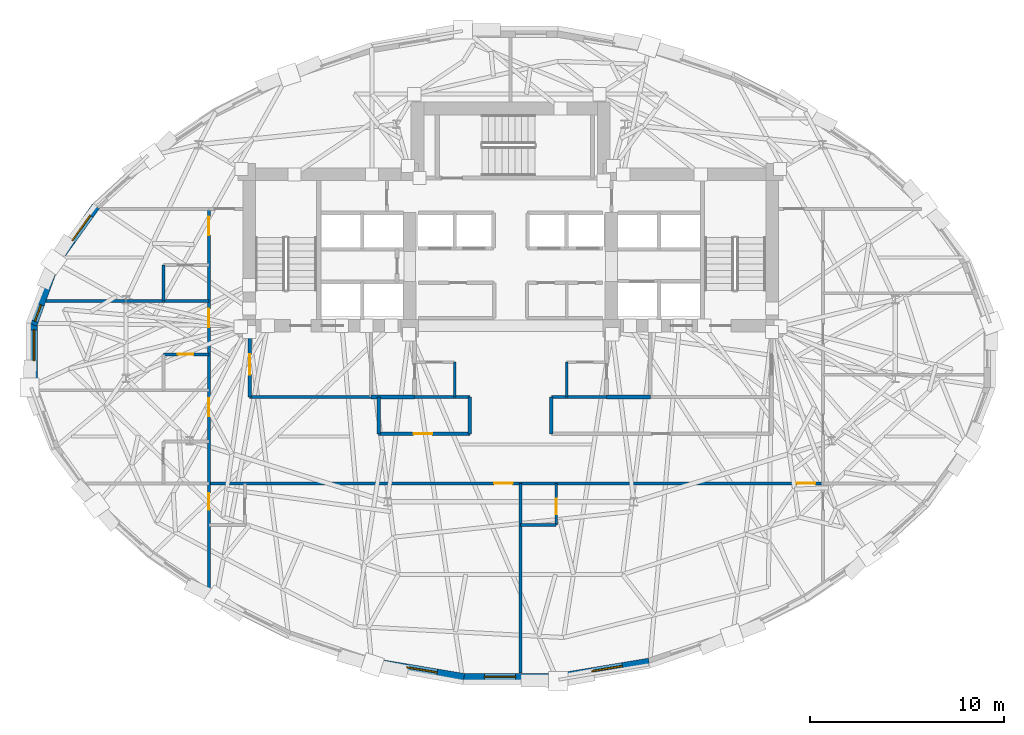
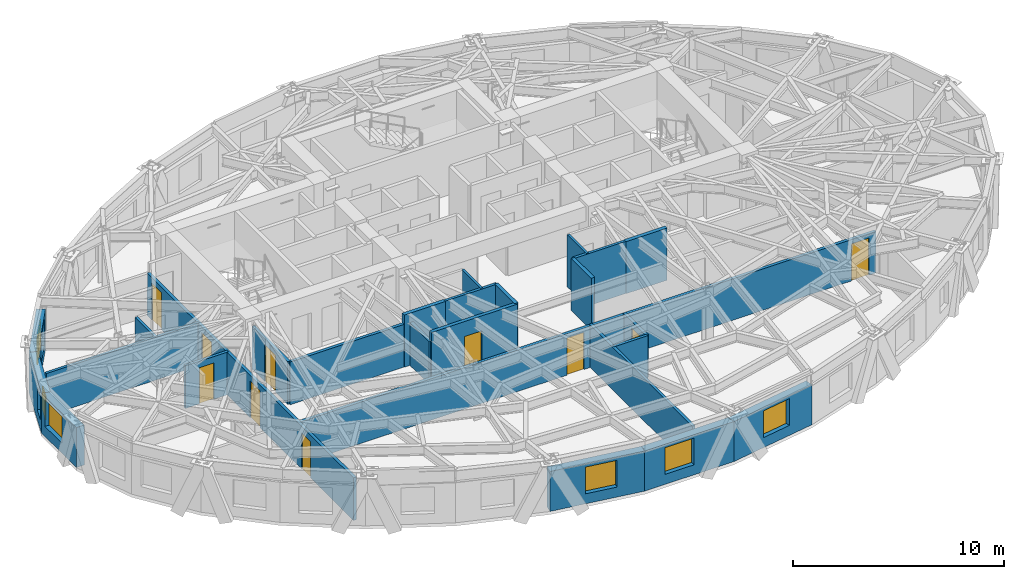
# One storey, part 6 of 14: 26 walls, 10 doors, 6 windows, 16 openings.
"""IFC4 building model written with IfcOpenShell, lengths in metres."""

from ifc_helpers import new_model, si_unit, direction, frame, frame_2d, origin, place, context, subcontext, project, spatial, rectangle, extrude, material, layer, layer_set, type_object, element, fill, save


model = new_model("IFC4")

# Units and contexts
model_context = context("Model", 3, precision=1e-05, world=origin(), true_north=direction((0.0, 1.0)))
body_context = subcontext(model_context, "Body", "Model", "MODEL_VIEW")
ifc_project = project(units=[si_unit("LENGTHUNIT", "METRE"), si_unit("AREAUNIT", "SQUARE_METRE"), si_unit("VOLUMEUNIT", "CUBIC_METRE"), si_unit("PLANEANGLEUNIT", "RADIAN"), si_unit("MASSUNIT", "GRAM", prefix="KILO")], contexts=[model_context])

# Site, building, storey
site_placement = place(None, origin())
site = spatial("IfcSite", under=ifc_project, at=site_placement, CompositionType="ELEMENT")
building_placement = place(site_placement, origin())
building = spatial("IfcBuilding", under=site, at=building_placement, Name="Keldmark Tower", CompositionType="ELEMENT")
storey_placement = place(building_placement, frame((0.0, 0.0, 172.60009765625)))
storey = spatial("IfcBuildingStorey", under=building, at=storey_placement, Name="L47", CompositionType="ELEMENT", Elevation=172.60009765625)

# Wall, opening, door
ifc_material_1 = material(Name="Heavy Acoustic Plumbing Chase Gypsum Assembly", Category="gypsum")
ifc_layer_1 = layer(ifc_material_1, 0.18994140625)
ifc_layer_set_1 = layer_set([ifc_layer_1], Name="Heavy Acoustic Plumbing Chase Gypsum Assembly")
wall_type_1 = type_object("IfcWallType", Name="Heavy Wet Wall 190 mm", PredefinedType="PLUMBINGWALL", material=ifc_layer_set_1)
wall_1_placement = place(storey_placement, frame((-6.800048828125, -4.050048828125, 0.0), z_axis=(0.0, 0.0, 1.0), x_axis=(1.0, 0.0, 0.0)))
wall_1 = element("IfcWall", 1, at=wall_1_placement, inside=storey, type_object=wall_type_1, Name="L47 Heavy Wet Wall 190 mm SPK-W-S", PredefinedType="PLUMBINGWALL", context=body_context, shape_type="SweptSolid", body=[
    extrude(rectangle(XDim=4.699951171875, YDim=0.18994140625, at=frame_2d((2.35009765625, 0.0))), origin(), (0.0, 0.0, 1.0), 3.02001953125),
])
opening_1_placement = place(wall_1_placement, frame((1.800048828125, 0.0, 0.0)))
opening_1 = element("IfcOpeningElement", 2, at=opening_1_placement, cuts=wall_1, Name="Opening D-AWC95", PredefinedType="OPENING", context=body_context, shape_type="SweptSolid", body=[
    extrude(rectangle(XDim=0.949951171875, YDim=2.14990234375, at=frame_2d((0.47509765625, 1.074951171875))), frame((0.0, 0.10498046875, 0.0), z_axis=(0.0, -1.0, 0.0), x_axis=(1.0, 0.0, 0.0)), (0.0, 0.0, 1.0), 0.2099609375),
])
ifc_material_2 = material(Name="Painted Solid-Core Architectural Wood", Category="wood")
door_type_1 = type_object("IfcDoorType", Name="Accessible WC Door 950x2150", OperationType="NOTDEFINED", PredefinedType="DOOR", material=ifc_material_2)
door_1_placement = place(opening_1_placement, origin())
door_1 = element("IfcDoor", 3, at=door_1_placement, inside=storey, type_object=door_type_1, Name="L47 Accessible WC Door 950x2150 D-SPKW1-L47", OperationType="SINGLE_SWING_LEFT", OverallHeight=2.14990234375, OverallWidth=0.949951171875, PredefinedType="DOOR", context=body_context, shape_type="SweptSolid", body=[
    extrude(rectangle(XDim=0.949951171875, YDim=2.14990234375, at=frame_2d((0.47509765625, 1.074951171875))), frame((0.0, 0.02490234375, 0.0), z_axis=(0.0, -1.0, 0.0), x_axis=(1.0, 0.0, 0.0)), (0.0, 0.0, 1.0), 0.050048828125),
])
fill(opening_1, door_1)

# Walls
wall_2_placement = place(storey_placement, frame((-6.800048828125, -4.050048828125, 0.0), z_axis=(0.0, 0.0, 1.0), x_axis=(0.0, 1.0, 0.0)))
element("IfcWall", 4, at=wall_2_placement, inside=storey, type_object=wall_type_1, Name="L47 Heavy Wet Wall 190 mm SPK-W-W", PredefinedType="PLUMBINGWALL", context=body_context, shape_type="SweptSolid", body=[
    extrude(rectangle(XDim=1.900146484375, YDim=0.18994140625, at=frame_2d((0.9501953125, 0.0))), origin(), (0.0, 0.0, 1.0), 2.472900390625),
])
for number, where, z_axis, x_axis, name in (
    (5, (-2.10009765625, -4.050048828125, 0.0), (0.0, 0.0, 1.0), (0.0, 1.0, 0.0), "L47 Heavy Wet Wall 190 mm SPK-W-E"),
    (6, (2.10009765625, -4.050048828125, 0.0), (0.0, 0.0, 1.0), (0.0, 1.0, 0.0), "L47 Heavy Wet Wall 190 mm SPK-E-W"),
):
    element("IfcWall", number, at=place(storey_placement, frame(where, z_axis=z_axis, x_axis=x_axis)), inside=storey, type_object=wall_type_1, Name=name, PredefinedType="PLUMBINGWALL", context=body_context, shape_type="SweptSolid", body=[
        extrude(rectangle(XDim=1.900146484375, YDim=0.18994140625, at=frame_2d((0.9501953125, 0.0))), origin(), (0.0, 0.0, 1.0), 3.02001953125),
    ])
ifc_material_3 = material(Name="Acoustic Gypsum Board Interior Partition", Category="gypsum")
ifc_layer_2 = layer(ifc_material_3, 0.1298828125)
ifc_layer_set_2 = layer_set([ifc_layer_2], Name="Acoustic Gypsum Board Interior Partition")
wall_type_2 = type_object("IfcWallType", Name="Interior Partition 130 mm", PredefinedType="PARTITIONING", material=ifc_layer_set_2)
for number, where, z_axis, x_axis, name in (
    (7, (-2.889892578125, -2.14990234375, 0.0), (0.0, 0.0, 1.0), (0.0, 1.0, 0.0), "L47 Interior Partition 130 mm CSC-W-E"),
    (8, (2.889892578125, -2.14990234375, 0.0), (0.0, 0.0, 1.0), (0.0, 1.0, 0.0), "L47 Interior Partition 130 mm CSC-E-W"),
):
    element("IfcWall", number, at=place(storey_placement, frame(where, z_axis=z_axis, x_axis=x_axis)), inside=storey, type_object=wall_type_2, Name=name, PredefinedType="PARTITIONING", context=body_context, shape_type="SweptSolid", body=[
        extrude(rectangle(XDim=1.7998046875, YDim=0.1298828125, at=frame_2d((0.89990234375, 0.0))), origin(), (0.0, 0.0, 1.0), 3.02001953125),
    ])
ifc_material_4 = material(Name="Type X Fire-Rated Gypsum Partition Assembly", Category="gypsum")
ifc_layer_3 = layer(ifc_material_4, 0.1650390625)
ifc_layer_set_3 = layer_set([ifc_layer_3], Name="Type X Fire-Rated Gypsum Partition Assembly")
wall_type_3 = type_object("IfcWallType", Name="Rated Partition 165 mm", PredefinedType="PARTITIONING", material=ifc_layer_set_3)
wall_3_placement = place(storey_placement, frame((-13.449951171875, -2.14990234375, 0.0), z_axis=(0.0, 0.0, 1.0), x_axis=(1.0, 0.0, 0.0)))
element("IfcWall", 9, at=wall_3_placement, inside=storey, type_object=wall_type_3, Name="L47 Rated Partition 165 mm FSAE-W-S", PredefinedType="PARTITIONING", context=body_context, shape_type="SweptSolid", body=[
    extrude(rectangle(XDim=6.25, YDim=0.1650390625, at=frame_2d((3.125, 0.0))), origin(), (0.0, 0.0, 1.0), 2.472900390625),
])

# Wall, opening, door
wall_4_placement = place(storey_placement, frame((-13.449951171875, -2.14990234375, 0.0), z_axis=(0.0, 0.0, 1.0), x_axis=(0.0, 1.0, 0.0)))
wall_4 = element("IfcWall", 10, at=wall_4_placement, inside=storey, type_object=wall_type_3, Name="L47 Rated Partition 165 mm FSAE-W-W", PredefinedType="PARTITIONING", context=body_context, shape_type="SweptSolid", body=[
    extrude(rectangle(XDim=3.39990234375, YDim=0.1650390625, at=frame_2d((1.699951171875, 0.0))), origin(), (0.0, 0.0, 1.0), 2.472900390625),
])
opening_2_placement = place(wall_4_placement, frame((1.14990234375, 0.0, 0.0)))
opening_2 = element("IfcOpeningElement", 11, at=opening_2_placement, cuts=wall_4, Name="Opening D-FL105", PredefinedType="OPENING", context=body_context, shape_type="SweptSolid", body=[
    extrude(rectangle(XDim=1.050048828125, YDim=2.14990234375, at=frame_2d((0.52490234375, 1.074951171875))), frame((0.0, 0.092529296875, 0.0), z_axis=(0.0, -1.0, 0.0), x_axis=(1.0, 0.0, 0.0)), (0.0, 0.0, 1.0), 0.18505859375),
])
ifc_material_5 = material(Name="Fire-Rated Mineral-Core Door and Vision Lite", Category="metal")
door_type_2 = type_object("IfcDoorType", Name="Fire Lobby Door 1050x2150", OperationType="NOTDEFINED", PredefinedType="DOOR", material=ifc_material_5)
door_2_placement = place(opening_2_placement, origin())
door_2 = element("IfcDoor", 12, at=door_2_placement, inside=storey, type_object=door_type_2, Name="L47 Fire Lobby Door 1050x2150 D-FSAEW-OUT-L47", OperationType="SINGLE_SWING_LEFT", OverallHeight=2.14990234375, OverallWidth=1.050048828125, PredefinedType="DOOR", context=body_context, shape_type="SweptSolid", body=[
    extrude(rectangle(XDim=1.050048828125, YDim=2.14990234375, at=frame_2d((0.52490234375, 1.074951171875))), frame((0.0, 0.02490234375, 0.0), z_axis=(0.0, -1.0, 0.0), x_axis=(1.0, 0.0, 0.0)), (0.0, 0.0, 1.0), 0.050048828125),
])
fill(opening_2, door_2)

# Wall, openings, doors
wall_5_placement = place(storey_placement, frame((-15.550048828125, -6.60009765625, 0.0), z_axis=(0.0, 0.0, 1.0), x_axis=(1.0, 0.0, 0.0)))
wall_5 = element("IfcWall", 13, at=wall_5_placement, inside=storey, type_object=wall_type_3, Name="L47 Rated Partition 165 mm HCOR-S", PredefinedType="PARTITIONING", context=body_context, shape_type="SweptSolid", body=[
    extrude(rectangle(XDim=31.650146484375, YDim=0.1650390625, at=frame_2d((15.8251953125, 0.0))), origin(), (0.0, 0.0, 1.0), 2.39794921875),
])
opening_3_placement = place(wall_5_placement, frame((14.699951171875, 0.0, 0.0)))
opening_3 = element("IfcOpeningElement", 14, at=opening_3_placement, cuts=wall_5, Name="Opening D-HT095", PredefinedType="OPENING", context=body_context, shape_type="SweptSolid", body=[
    extrude(rectangle(XDim=0.949951171875, YDim=2.14990234375, at=frame_2d((0.47509765625, 1.074951171875))), frame((0.0, 0.092529296875, 0.0), z_axis=(0.0, -1.0, 0.0), x_axis=(1.0, 0.0, 0.0)), (0.0, 0.0, 1.0), 0.18505859375),
])
opening_4_placement = place(wall_5_placement, frame((30.300048828125, 0.0, 0.0)))
opening_4 = element("IfcOpeningElement", 15, at=opening_4_placement, cuts=wall_5, Name="Opening D-HT095", PredefinedType="OPENING", context=body_context, shape_type="SweptSolid", body=[
    extrude(rectangle(XDim=0.949951171875, YDim=2.14990234375, at=frame_2d((0.47509765625, 1.074951171875))), frame((0.0, 0.092529296875, 0.0), z_axis=(0.0, -1.0, 0.0), x_axis=(1.0, 0.0, 0.0)), (0.0, 0.0, 1.0), 0.18505859375),
])
ifc_material_6 = material(Name="Solid-Core Acoustic White Oak Fire-Rated Assembly", Category="wood")
door_type_3 = type_object("IfcDoorType", Name="Hotel Entry Door 950x2150", OperationType="NOTDEFINED", PredefinedType="DOOR", material=ifc_material_6)
door_3_placement = place(opening_3_placement, origin())
door_3 = element("IfcDoor", 16, at=door_3_placement, inside=storey, type_object=door_type_3, Name="L47 Hotel Entry Door 950x2150 D-HRS1-L47", OperationType="SINGLE_SWING_RIGHT", OverallHeight=2.14990234375, OverallWidth=0.949951171875, PredefinedType="DOOR", context=body_context, shape_type="SweptSolid", body=[
    extrude(rectangle(XDim=0.949951171875, YDim=2.14990234375, at=frame_2d((0.47509765625, 1.074951171875))), frame((0.0, 0.02490234375, 0.0), z_axis=(0.0, -1.0, 0.0), x_axis=(1.0, 0.0, 0.0)), (0.0, 0.0, 1.0), 0.050048828125),
])
fill(opening_3, door_3)
door_4_placement = place(opening_4_placement, origin())
door_4 = element("IfcDoor", 17, at=door_4_placement, inside=storey, type_object=door_type_3, Name="L47 Hotel Entry Door 950x2150 D-HRS2-L47", OperationType="SINGLE_SWING_LEFT", OverallHeight=2.14990234375, OverallWidth=0.949951171875, PredefinedType="DOOR", context=body_context, shape_type="SweptSolid", body=[
    extrude(rectangle(XDim=0.949951171875, YDim=2.14990234375, at=frame_2d((0.47509765625, 1.074951171875))), frame((0.0, 0.02490234375, 0.0), z_axis=(0.0, -1.0, 0.0), x_axis=(1.0, 0.0, 0.0)), (0.0, 0.0, 1.0), 0.050048828125),
])
fill(opening_4, door_4)

wall_6_placement = place(storey_placement, frame((-15.550048828125, -12.028076171875, 0.0), z_axis=(0.0, 0.0, 1.0), x_axis=(0.0, 1.0, 0.0)))
wall_6 = element("IfcWall", 18, at=wall_6_placement, inside=storey, type_object=wall_type_3, Name="L47 Rated Partition 165 mm HCOR-W", PredefinedType="PARTITIONING", context=body_context, shape_type="SweptSolid", body=[
    extrude(rectangle(XDim=19.578125, YDim=0.1650390625, at=frame_2d((9.7890625, 0.0))), origin(), (0.0, 0.0, 1.0), 2.472900390625),
])
opening_5_placement = place(wall_6_placement, frame((4.07861328125, 0.0, 0.0)))
opening_5 = element("IfcOpeningElement", 19, at=opening_5_placement, cuts=wall_6, Name="Opening D-IN085", PredefinedType="OPENING", context=body_context, shape_type="SweptSolid", body=[
    extrude(rectangle(XDim=0.85009765625, YDim=2.10009765625, at=frame_2d((0.425048828125, 1.050048828125))), frame((0.0, 0.092529296875, 0.0), z_axis=(0.0, -1.0, 0.0), x_axis=(1.0, 0.0, 0.0)), (0.0, 0.0, 1.0), 0.18505859375),
])
opening_6_placement = place(wall_6_placement, frame((8.877685546875, 0.0, 0.0)))
opening_6 = element("IfcOpeningElement", 20, at=opening_6_placement, cuts=wall_6, Name="Opening D-HT095", PredefinedType="OPENING", context=body_context, shape_type="SweptSolid", body=[
    extrude(rectangle(XDim=0.949951171875, YDim=2.14990234375, at=frame_2d((0.47509765625, 1.074951171875))), frame((0.0, 0.092529296875, 0.0), z_axis=(0.0, -1.0, 0.0), x_axis=(1.0, 0.0, 0.0)), (0.0, 0.0, 1.0), 0.18505859375),
])
opening_7_placement = place(wall_6_placement, frame((13.4775390625, 0.0, 0.0)))
opening_7 = element("IfcOpeningElement", 21, at=opening_7_placement, cuts=wall_6, Name="Opening D-HT095", PredefinedType="OPENING", context=body_context, shape_type="SweptSolid", body=[
    extrude(rectangle(XDim=0.949951171875, YDim=2.14990234375, at=frame_2d((0.47509765625, 1.074951171875))), frame((0.0, 0.092529296875, 0.0), z_axis=(0.0, -1.0, 0.0), x_axis=(1.0, 0.0, 0.0)), (0.0, 0.0, 1.0), 0.18505859375),
])
opening_8_placement = place(wall_6_placement, frame((18.2275390625, 0.0, 0.0)))
opening_8 = element("IfcOpeningElement", 22, at=opening_8_placement, cuts=wall_6, Name="Opening D-HT095", PredefinedType="OPENING", context=body_context, shape_type="SweptSolid", body=[
    extrude(rectangle(XDim=0.949951171875, YDim=2.14990234375, at=frame_2d((0.47509765625, 1.074951171875))), frame((0.0, 0.092529296875, 0.0), z_axis=(0.0, -1.0, 0.0), x_axis=(1.0, 0.0, 0.0)), (0.0, 0.0, 1.0), 0.18505859375),
])
door_5_placement = place(opening_6_placement, origin())
door_5 = element("IfcDoor", 23, at=door_5_placement, inside=storey, type_object=door_type_3, Name="L47 Hotel Entry Door 950x2150 D-HR-3-L47", OperationType="SINGLE_SWING_RIGHT", OverallHeight=2.14990234375, OverallWidth=0.949951171875, PredefinedType="DOOR", context=body_context, shape_type="SweptSolid", body=[
    extrude(rectangle(XDim=0.949951171875, YDim=2.14990234375, at=frame_2d((0.47509765625, 1.074951171875))), frame((0.0, 0.02490234375, 0.0), z_axis=(0.0, -1.0, 0.0), x_axis=(1.0, 0.0, 0.0)), (0.0, 0.0, 1.0), 0.050048828125),
])
fill(opening_6, door_5)
door_6_placement = place(opening_7_placement, origin())
door_6 = element("IfcDoor", 24, at=door_6_placement, inside=storey, type_object=door_type_3, Name="L47 Hotel Entry Door 950x2150 D-HR-4-L47", OperationType="SINGLE_SWING_RIGHT", OverallHeight=2.14990234375, OverallWidth=0.949951171875, PredefinedType="DOOR", context=body_context, shape_type="SweptSolid", body=[
    extrude(rectangle(XDim=0.949951171875, YDim=2.14990234375, at=frame_2d((0.47509765625, 1.074951171875))), frame((0.0, 0.02490234375, 0.0), z_axis=(0.0, -1.0, 0.0), x_axis=(1.0, 0.0, 0.0)), (0.0, 0.0, 1.0), 0.050048828125),
])
fill(opening_7, door_6)
door_7_placement = place(opening_8_placement, origin())
door_7 = element("IfcDoor", 25, at=door_7_placement, inside=storey, type_object=door_type_3, Name="L47 Hotel Entry Door 950x2150 D-HR-5-L47", OperationType="SINGLE_SWING_RIGHT", OverallHeight=2.14990234375, OverallWidth=0.949951171875, PredefinedType="DOOR", context=body_context, shape_type="SweptSolid", body=[
    extrude(rectangle(XDim=0.949951171875, YDim=2.14990234375, at=frame_2d((0.47509765625, 1.074951171875))), frame((0.0, 0.02490234375, 0.0), z_axis=(0.0, -1.0, 0.0), x_axis=(1.0, 0.0, 0.0)), (0.0, 0.0, 1.0), 0.050048828125),
])
fill(opening_8, door_7)
ifc_material_7 = material(Name="Painted Architectural Wood", Category="wood")
door_type_4 = type_object("IfcDoorType", Name="Interior Door 850x2100", OperationType="NOTDEFINED", PredefinedType="DOOR", material=ifc_material_7)
door_8_placement = place(opening_5_placement, origin())
door_8 = element("IfcDoor", 26, at=door_8_placement, inside=storey, type_object=door_type_4, Name="L47 Interior Door 850x2100 D-HKSW-L47", OperationType="SINGLE_SWING_LEFT", OverallHeight=2.10009765625, OverallWidth=0.85009765625, PredefinedType="DOOR", context=body_context, shape_type="SweptSolid", body=[
    extrude(rectangle(XDim=0.85009765625, YDim=2.10009765625, at=frame_2d((0.425048828125, 1.050048828125))), frame((0.0, 0.02490234375, 0.0), z_axis=(0.0, -1.0, 0.0), x_axis=(1.0, 0.0, 0.0)), (0.0, 0.0, 1.0), 0.050048828125),
])
fill(opening_5, door_8)

# Walls
ifc_material_8 = material(Name="Fire-Resistant Type X Gypsum Shaftliner Coreboard", Category="gypsum")
ifc_layer_4 = layer(ifc_material_8, 0.199951171875)
ifc_layer_set_4 = layer_set([ifc_layer_4], Name="Fire-Resistant Type X Gypsum Shaftliner Coreboard")
wall_type_4 = type_object("IfcWallType", Name="Shaft Wall 200 mm", PredefinedType="SOLIDWALL", material=ifc_layer_set_4)
for number, where, z_axis, x_axis, name in (
    (27, (-7.199951171875, -2.14990234375, 0.0), (0.0, 0.0, 1.0), (1.0, 0.0, 0.0), "L47 Shaft Wall 200 mm RIS-SW-S"),
    (28, (4.949951171875, -2.14990234375, 0.0), (0.0, 0.0, 1.0), (1.0, 0.0, 0.0), "L47 Shaft Wall 200 mm RIS-SE-S"),
):
    element("IfcWall", number, at=place(storey_placement, frame(where, z_axis=z_axis, x_axis=x_axis)), inside=storey, type_object=wall_type_4, Name=name, PredefinedType="SOLIDWALL", context=body_context, shape_type="SweptSolid", body=[
        extrude(rectangle(XDim=2.25, YDim=0.199951171875, at=frame_2d((1.125, 0.0))), origin(), (0.0, 0.0, 1.0), 3.02001953125),
    ])

# Wall, opening, window
ifc_material_9 = material(Name="Ironspot Manganese Brick and Kasota Buff Limestone Spandrel Assembly", Category="masonry")
ifc_layer_5 = layer(ifc_material_9, 0.43994140625)
ifc_layer_set_5 = layer_set([ifc_layer_5], Name="Ironspot Manganese Brick and Kasota Buff Limestone Spandrel Assembly")
wall_type_5 = type_object("IfcWallType", Name="Tower Brick Pier and Spandrel Wall 440 mm", PredefinedType="STANDARD", material=ifc_layer_set_5)
wall_7_placement = place(storey_placement, frame((-23.486572265625, 4.738525390625, 0.0), z_axis=(0.0, 0.0, 1.0), x_axis=(0.581678195571, 0.813419004448, 0.0)))
wall_7 = element("IfcWall", 29, at=wall_7_placement, inside=storey, type_object=wall_type_5, Name="L47 Exterior Brick and Spandrel Wall 14", PredefinedType="STANDARD", context=body_context, shape_type="SweptSolid", body=[
    extrude(rectangle(XDim=3.620849609375, YDim=0.43994140625, at=frame_2d((1.810546875, 0.0))), origin(), (0.0, 0.0, 1.0), 2.31494140625),
])
opening_9_placement = place(wall_7_placement, frame((1.47705078125, 0.0, 0.580078125)))
opening_9 = element("IfcOpeningElement", 30, at=opening_9_placement, cuts=wall_7, Name="Opening W-04", PredefinedType="OPENING", context=body_context, shape_type="SweptSolid", body=[
    extrude(rectangle(XDim=1.60009765625, YDim=1.550048828125, at=frame_2d((0.800048828125, 0.77490234375))), frame((0.0, 0.22998046875, 0.0), z_axis=(0.0, -1.0, 0.0), x_axis=(1.0, 0.0, 0.0)), (0.0, 0.0, 1.0), 0.4599609375),
])
ifc_material_10 = material(Name="Thermally Broken Anodized Aluminum and Triple Low-E Argon Glazing", Category="aluminium")
window_type_1 = type_object("IfcWindowType", Name="Hotel Deep-Set Operable Window 1600x1550", PartitioningType="DOUBLE_PANEL_HORIZONTAL", PredefinedType="WINDOW", material=ifc_material_10)
window_1_placement = place(opening_9_placement, origin())
window_1 = element("IfcWindow", 31, at=window_1_placement, inside=storey, type_object=window_type_1, Name="L47 Deep-Set Window 14", OverallHeight=1.550048828125, OverallWidth=1.60009765625, PartitioningType="SINGLE_PANEL", PredefinedType="WINDOW", context=body_context, shape_type="SweptSolid", body=[
    extrude(rectangle(XDim=1.60009765625, YDim=1.550048828125, at=frame_2d((0.800048828125, 0.77490234375))), frame((0.0, -0.010009765625, 0.0), z_axis=(0.0, -1.0, 0.0), x_axis=(1.0, 0.0, 0.0)), (0.0, 0.0, 1.0), 0.06005859375),
])
fill(opening_9, window_1)

wall_8_placement = place(storey_placement, frame((-24.62646484375, 1.582763671875, 0.0), z_axis=(0.0, 0.0, 1.0), x_axis=(0.341938259916, 0.93972241987, 0.0)))
wall_8 = element("IfcWall", 32, at=wall_8_placement, inside=storey, type_object=wall_type_5, Name="L47 Exterior Brick and Spandrel Wall 15", PredefinedType="STANDARD", context=body_context, shape_type="SweptSolid", body=[
    extrude(rectangle(XDim=3.414306640625, YDim=0.43994140625, at=frame_2d((1.70703125, 0.0))), origin(), (0.0, 0.0, 1.0), 2.31494140625),
])
opening_10_placement = place(wall_8_placement, frame((0.199951171875, 0.0, 0.580078125)))
opening_10 = element("IfcOpeningElement", 33, at=opening_10_placement, cuts=wall_8, Name="Opening W-09", PredefinedType="OPENING", context=body_context, shape_type="SweptSolid", body=[
    extrude(rectangle(XDim=0.89990234375, YDim=1.35009765625, at=frame_2d((0.449951171875, 0.675048828125))), frame((0.0, 0.22998046875, 0.0), z_axis=(0.0, -1.0, 0.0), x_axis=(1.0, 0.0, 0.0)), (0.0, 0.0, 1.0), 0.4599609375),
])
ifc_material_11 = material(Name="Thermally Broken Anodized Aluminum and Triple Low-E Argon Glazing", Category="aluminium")
window_type_2 = type_object("IfcWindowType", Name="Corner Pier Deep-Set Window 900x1350", PartitioningType="SINGLE_PANEL", PredefinedType="WINDOW", material=ifc_material_11)
window_2_placement = place(opening_10_placement, origin())
window_2 = element("IfcWindow", 34, at=window_2_placement, inside=storey, type_object=window_type_2, Name="L47 Deep-Set Window 15", OverallHeight=1.35009765625, OverallWidth=0.89990234375, PartitioningType="SINGLE_PANEL", PredefinedType="WINDOW", context=body_context, shape_type="SweptSolid", body=[
    extrude(rectangle(XDim=0.89990234375, YDim=1.35009765625, at=frame_2d((0.449951171875, 0.675048828125))), frame((0.0, -0.010009765625, 0.0), z_axis=(0.0, -1.0, 0.0), x_axis=(1.0, 0.0, 0.0)), (0.0, 0.0, 1.0), 0.06005859375),
])
fill(opening_10, window_2)

wall_9_placement = place(storey_placement, frame((-24.61328125, -1.657958984375, 0.0), z_axis=(0.0, 0.0, 1.0), x_axis=(0.0, 1.0, 0.0)))
wall_9 = element("IfcWall", 35, at=wall_9_placement, inside=storey, type_object=wall_type_5, Name="L47 Exterior Brick and Spandrel Wall 16", PredefinedType="STANDARD", context=body_context, shape_type="SweptSolid", body=[
    extrude(rectangle(XDim=3.31591796875, YDim=0.43994140625, at=frame_2d((1.657958984375, 0.0))), origin(), (0.0, 0.0, 1.0), 2.31494140625),
])
opening_11_placement = place(wall_9_placement, frame((1.369873046875, 0.0, 0.580078125)))
opening_11 = element("IfcOpeningElement", 36, at=opening_11_placement, cuts=wall_9, Name="Opening W-04", PredefinedType="OPENING", context=body_context, shape_type="SweptSolid", body=[
    extrude(rectangle(XDim=1.60009765625, YDim=1.550048828125, at=frame_2d((0.800048828125, 0.77490234375))), frame((0.0, 0.22998046875, 0.0), z_axis=(0.0, -1.0, 0.0), x_axis=(1.0, 0.0, 0.0)), (0.0, 0.0, 1.0), 0.4599609375),
])
window_3_placement = place(opening_11_placement, origin())
window_3 = element("IfcWindow", 37, at=window_3_placement, inside=storey, type_object=window_type_1, Name="L47 Deep-Set Window 16", OverallHeight=1.550048828125, OverallWidth=1.60009765625, PartitioningType="SINGLE_PANEL", PredefinedType="WINDOW", context=body_context, shape_type="SweptSolid", body=[
    extrude(rectangle(XDim=1.60009765625, YDim=1.550048828125, at=frame_2d((0.800048828125, 0.77490234375))), frame((0.0, -0.010009765625, 0.0), z_axis=(0.0, -1.0, 0.0), x_axis=(1.0, 0.0, 0.0)), (0.0, 0.0, 1.0), 0.06005859375),
])
fill(opening_11, window_3)

wall_10_placement = place(storey_placement, frame((-2.40966796875, -16.6171875, 0.0), z_axis=(0.0, 0.0, 1.0), x_axis=(-0.98630301983, 0.164943484488, 0.0)))
wall_10 = element("IfcWall", 38, at=wall_10_placement, inside=storey, type_object=wall_type_5, Name="L47 Exterior Brick and Spandrel Wall 23", PredefinedType="STANDARD", context=body_context, shape_type="SweptSolid", body=[
    extrude(rectangle(XDim=4.798583984375, YDim=0.43994140625, at=frame_2d((2.3994140625, 0.0))), origin(), (0.0, 0.0, 1.0), 2.31494140625),
])
opening_12_placement = place(wall_10_placement, frame((1.3994140625, 0.0, 0.580078125)))
opening_12 = element("IfcOpeningElement", 39, at=opening_12_placement, cuts=wall_10, Name="Opening W-04", PredefinedType="OPENING", context=body_context, shape_type="SweptSolid", body=[
    extrude(rectangle(XDim=1.60009765625, YDim=1.550048828125, at=frame_2d((0.800048828125, 0.77490234375))), frame((0.0, 0.22998046875, 0.0), z_axis=(0.0, -1.0, 0.0), x_axis=(1.0, 0.0, 0.0)), (0.0, 0.0, 1.0), 0.4599609375),
])
window_4_placement = place(opening_12_placement, origin())
window_4 = element("IfcWindow", 40, at=window_4_placement, inside=storey, type_object=window_type_1, Name="L47 Deep-Set Window 23", OverallHeight=1.550048828125, OverallWidth=1.60009765625, PartitioningType="SINGLE_PANEL", PredefinedType="WINDOW", context=body_context, shape_type="SweptSolid", body=[
    extrude(rectangle(XDim=1.60009765625, YDim=1.550048828125, at=frame_2d((0.800048828125, 0.77490234375))), frame((0.0, -0.010009765625, 0.0), z_axis=(0.0, -1.0, 0.0), x_axis=(1.0, 0.0, 0.0)), (0.0, 0.0, 1.0), 0.06005859375),
])
fill(opening_12, window_4)

wall_11_placement = place(storey_placement, frame((2.44580078125, -16.6142578125, 0.0), z_axis=(0.0, 0.0, 1.0), x_axis=(-1.0, 0.0, 0.0)))
wall_11 = element("IfcWall", 41, at=wall_11_placement, inside=storey, type_object=wall_type_5, Name="L47 Exterior Brick and Spandrel Wall 24", PredefinedType="STANDARD", context=body_context, shape_type="SweptSolid", body=[
    extrude(rectangle(XDim=4.8916015625, YDim=0.43994140625, at=frame_2d((2.44580078125, 0.0))), origin(), (0.0, 0.0, 1.0), 2.31494140625),
])
opening_13_placement = place(wall_11_placement, frame((2.1943359375, 0.0, 0.580078125)))
opening_13 = element("IfcOpeningElement", 42, at=opening_13_placement, cuts=wall_11, Name="Opening W-04", PredefinedType="OPENING", context=body_context, shape_type="SweptSolid", body=[
    extrude(rectangle(XDim=1.60009765625, YDim=1.550048828125, at=frame_2d((0.800048828125, 0.77490234375))), frame((0.0, 0.22998046875, 0.0), z_axis=(0.0, -1.0, 0.0), x_axis=(1.0, 0.0, 0.0)), (0.0, 0.0, 1.0), 0.4599609375),
])
window_5_placement = place(opening_13_placement, origin())
window_5 = element("IfcWindow", 43, at=window_5_placement, inside=storey, type_object=window_type_1, Name="L47 Deep-Set Window 24", OverallHeight=1.550048828125, OverallWidth=1.60009765625, PartitioningType="SINGLE_PANEL", PredefinedType="WINDOW", context=body_context, shape_type="SweptSolid", body=[
    extrude(rectangle(XDim=1.60009765625, YDim=1.550048828125, at=frame_2d((0.800048828125, 0.77490234375))), frame((0.0, -0.010009765625, 0.0), z_axis=(0.0, -1.0, 0.0), x_axis=(1.0, 0.0, 0.0)), (0.0, 0.0, 1.0), 0.06005859375),
])
fill(opening_13, window_5)

wall_12_placement = place(storey_placement, frame((7.142578125, -15.82568359375, 0.0), z_axis=(0.0, 0.0, 1.0), x_axis=(-0.98630301983, -0.164943484488, 0.0)))
wall_12 = element("IfcWall", 44, at=wall_12_placement, inside=storey, type_object=wall_type_5, Name="L47 Exterior Brick and Spandrel Wall 25", PredefinedType="STANDARD", context=body_context, shape_type="SweptSolid", body=[
    extrude(rectangle(XDim=4.798583984375, YDim=0.43994140625, at=frame_2d((2.3994140625, 0.0))), origin(), (0.0, 0.0, 1.0), 2.31494140625),
])
opening_14_placement = place(wall_12_placement, frame((1.3994140625, 0.0, 0.580078125)))
opening_14 = element("IfcOpeningElement", 45, at=opening_14_placement, cuts=wall_12, Name="Opening W-04", PredefinedType="OPENING", context=body_context, shape_type="SweptSolid", body=[
    extrude(rectangle(XDim=1.60009765625, YDim=1.550048828125, at=frame_2d((0.800048828125, 0.77490234375))), frame((0.0, 0.22998046875, 0.0), z_axis=(0.0, -1.0, 0.0), x_axis=(1.0, 0.0, 0.0)), (0.0, 0.0, 1.0), 0.4599609375),
])
window_6_placement = place(opening_14_placement, origin())
window_6 = element("IfcWindow", 46, at=window_6_placement, inside=storey, type_object=window_type_1, Name="L47 Deep-Set Window 25", OverallHeight=1.550048828125, OverallWidth=1.60009765625, PartitioningType="SINGLE_PANEL", PredefinedType="WINDOW", context=body_context, shape_type="SweptSolid", body=[
    extrude(rectangle(XDim=1.60009765625, YDim=1.550048828125, at=frame_2d((0.800048828125, 0.77490234375))), frame((0.0, -0.010009765625, 0.0), z_axis=(0.0, -1.0, 0.0), x_axis=(1.0, 0.0, 0.0)), (0.0, 0.0, 1.0), 0.06005859375),
])
fill(opening_14, window_6)

# Walls
ifc_material_12 = material(Name="Moisture-Resistant Gypsum Plumbing Partition", Category="gypsum")
ifc_layer_6 = layer(ifc_material_12, 0.14990234375)
ifc_layer_set_6 = layer_set([ifc_layer_6], Name="Moisture-Resistant Gypsum Plumbing Partition")
wall_type_6 = type_object("IfcWallType", Name="Wet Wall 150 mm", PredefinedType="PLUMBINGWALL", material=ifc_layer_set_6)
for number, where, z_axis, x_axis, name in (
    (47, (-4.949951171875, -2.14990234375, 0.0), (0.0, 0.0, 1.0), (1.0, 0.0, 0.0), "L47 Wet Wall 150 mm SPK-W-N"),
    (48, (2.10009765625, -2.14990234375, 0.0), (0.0, 0.0, 1.0), (1.0, 0.0, 0.0), "L47 Wet Wall 150 mm SPK-E-N"),
):
    element("IfcWall", number, at=place(storey_placement, frame(where, z_axis=z_axis, x_axis=x_axis)), inside=storey, type_object=wall_type_6, Name=name, PredefinedType="PLUMBINGWALL", context=body_context, shape_type="SweptSolid", body=[
        extrude(rectangle(XDim=2.849853515625, YDim=0.14990234375, at=frame_2d((1.4248046875, 0.0))), origin(), (0.0, 0.0, 1.0), 3.02001953125),
    ])
wall_13_placement = place(storey_placement, frame((0.5, -16.38623046875, 0.0), z_axis=(0.0, 0.0, 1.0), x_axis=(0.0, 1.0, 0.0)))
element("IfcWall", 49, at=wall_13_placement, inside=storey, type_object=wall_type_6, Name="L47 Wet Wall 150 mm HS-DIV-1", PredefinedType="PLUMBINGWALL", context=body_context, shape_type="SweptSolid", body=[
    extrude(rectangle(XDim=9.7861328125, YDim=0.14990234375, at=frame_2d((4.89306640625, 0.0))), origin(), (0.0, 0.0, 1.0), 2.472900390625),
])

# Wall, opening, door
wall_14_placement = place(storey_placement, frame((2.35009765625, -8.75, 0.0), z_axis=(0.0, 0.0, 1.0), x_axis=(0.0, 1.0, 0.0)))
wall_14 = element("IfcWall", 50, at=wall_14_placement, inside=storey, type_object=wall_type_6, Name="L47 Wet Wall 150 mm HB-S2-E", PredefinedType="PLUMBINGWALL", context=body_context, shape_type="SweptSolid", body=[
    extrude(rectangle(XDim=2.14990234375, YDim=0.14990234375, at=frame_2d((1.074951171875, 0.0))), origin(), (0.0, 0.0, 1.0), 2.472900390625),
])
opening_15_placement = place(wall_14_placement, frame((0.550048828125, 0.0, 0.0)))
opening_15 = element("IfcOpeningElement", 51, at=opening_15_placement, cuts=wall_14, Name="Opening D-BT080", PredefinedType="OPENING", context=body_context, shape_type="SweptSolid", body=[
    extrude(rectangle(XDim=0.800048828125, YDim=2.10009765625, at=frame_2d((0.39990234375, 1.050048828125))), frame((0.0, 0.0849609375, 0.0), z_axis=(0.0, -1.0, 0.0), x_axis=(1.0, 0.0, 0.0)), (0.0, 0.0, 1.0), 0.169921875),
])
ifc_material_13 = material(Name="Moisture-Sealed Stained Wood", Category="wood")
door_type_5 = type_object("IfcDoorType", Name="Bathroom Door 800x2100", OperationType="NOTDEFINED", PredefinedType="DOOR", material=ifc_material_13)
door_9_placement = place(opening_15_placement, origin())
door_9 = element("IfcDoor", 52, at=door_9_placement, inside=storey, type_object=door_type_5, Name="L47 Bathroom Door 800x2100 D-HBS2-L47", OperationType="SINGLE_SWING_RIGHT", OverallHeight=2.10009765625, OverallWidth=0.800048828125, PredefinedType="DOOR", context=body_context, shape_type="SweptSolid", body=[
    extrude(rectangle(XDim=0.800048828125, YDim=2.10009765625, at=frame_2d((0.39990234375, 1.050048828125))), frame((0.0, 0.02490234375, 0.0), z_axis=(0.0, -1.0, 0.0), x_axis=(1.0, 0.0, 0.0)), (0.0, 0.0, 1.0), 0.050048828125),
])
fill(opening_15, door_9)

# Walls
wall_15_placement = place(storey_placement, frame((0.5, -8.75, 0.0), z_axis=(0.0, 0.0, 1.0), x_axis=(1.0, 0.0, 0.0)))
element("IfcWall", 53, at=wall_15_placement, inside=storey, type_object=wall_type_6, Name="L47 Wet Wall 150 mm HB-S2-S", PredefinedType="PLUMBINGWALL", context=body_context, shape_type="SweptSolid", body=[
    extrude(rectangle(XDim=1.85009765625, YDim=0.14990234375, at=frame_2d((0.925048828125, 0.0))), origin(), (0.0, 0.0, 1.0), 2.472900390625),
])
wall_16_placement = place(storey_placement, frame((-23.94091796875, 2.800048828125, 0.0), z_axis=(0.0, 0.0, 1.0), x_axis=(1.0, 0.0, 0.0)))
element("IfcWall", 54, at=wall_16_placement, inside=storey, type_object=wall_type_6, Name="L47 Wet Wall 150 mm HW-DIV-2", PredefinedType="PLUMBINGWALL", context=body_context, shape_type="SweptSolid", body=[
    extrude(rectangle(XDim=8.390869140625, YDim=0.14990234375, at=frame_2d((4.1953125, 0.0))), origin(), (0.0, 0.0, 1.0), 2.472900390625),
])

# Wall, opening, door
wall_17_placement = place(storey_placement, frame((-17.89990234375, 0.050048828125, 0.0), z_axis=(0.0, 0.0, 1.0), x_axis=(1.0, 0.0, 0.0)))
wall_17 = element("IfcWall", 55, at=wall_17_placement, inside=storey, type_object=wall_type_6, Name="L47 Wet Wall 150 mm HB-4-N", PredefinedType="PLUMBINGWALL", context=body_context, shape_type="SweptSolid", body=[
    extrude(rectangle(XDim=2.349853515625, YDim=0.14990234375, at=frame_2d((1.1748046875, 0.0))), origin(), (0.0, 0.0, 1.0), 2.472900390625),
])
opening_16_placement = place(wall_17_placement, frame((0.75, 0.0, 0.0)))
opening_16 = element("IfcOpeningElement", 56, at=opening_16_placement, cuts=wall_17, Name="Opening D-BT080", PredefinedType="OPENING", context=body_context, shape_type="SweptSolid", body=[
    extrude(rectangle(XDim=0.800048828125, YDim=2.10009765625, at=frame_2d((0.39990234375, 1.050048828125))), frame((0.0, 0.0849609375, 0.0), z_axis=(0.0, -1.0, 0.0), x_axis=(1.0, 0.0, 0.0)), (0.0, 0.0, 1.0), 0.169921875),
])
door_10_placement = place(opening_16_placement, origin())
door_10 = element("IfcDoor", 57, at=door_10_placement, inside=storey, type_object=door_type_5, Name="L47 Bathroom Door 800x2100 D-HB-4-L47", OperationType="SINGLE_SWING_LEFT", OverallHeight=2.10009765625, OverallWidth=0.800048828125, PredefinedType="DOOR", context=body_context, shape_type="SweptSolid", body=[
    extrude(rectangle(XDim=0.800048828125, YDim=2.10009765625, at=frame_2d((0.39990234375, 1.050048828125))), frame((0.0, 0.02490234375, 0.0), z_axis=(0.0, -1.0, 0.0), x_axis=(1.0, 0.0, 0.0)), (0.0, 0.0, 1.0), 0.050048828125),
])
fill(opening_16, door_10)

# Wall
wall_18_placement = place(storey_placement, frame((-17.89990234375, 2.800048828125, 0.0), z_axis=(0.0, 0.0, 1.0), x_axis=(0.0, 1.0, 0.0)))
element("IfcWall", 58, at=wall_18_placement, inside=storey, type_object=wall_type_6, Name="L47 Wet Wall 150 mm HB-5-IN", PredefinedType="PLUMBINGWALL", context=body_context, shape_type="SweptSolid", body=[
    extrude(rectangle(XDim=1.849853515625, YDim=0.14990234375, at=frame_2d((0.9248046875, 0.0))), origin(), (0.0, 0.0, 1.0), 2.472900390625),
])

save(model, "model.ifc")
